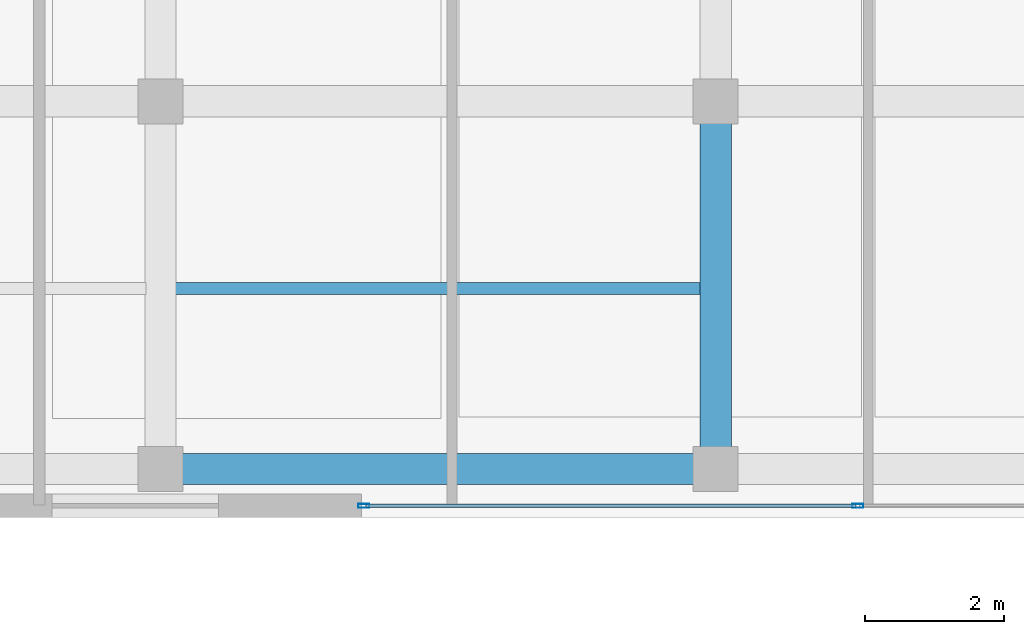
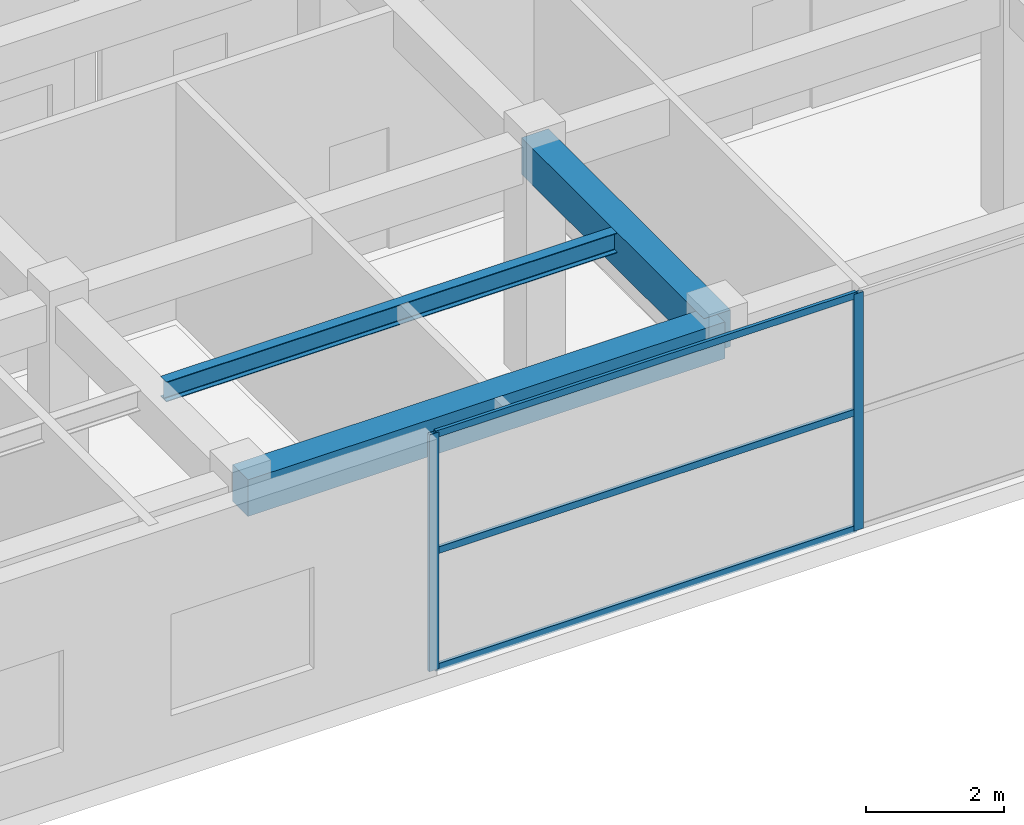
# One storey, part 10 of 28: 5 members, 3 beams, 1 element without a shape of its own.
"""IFC4 building model written with IfcOpenShell, lengths in metres."""

import ifcopenshell
import ifcopenshell.guid

model = None  # the IFC model being written
_history = None  # IfcOwnerHistory: only IFC2X3 demands one
_inside = {}  # id of a spatial element -> (the spatial element, [elements in it])
_under = {}  # id of a project, library or spatial element -> (it, [spatial elements below it])
_declared = {}  # id of a project -> (the project, [libraries it declares])
_typed = {}  # id of a type object -> (the type object, [elements of that type])
_made_of = {}  # id of a material, layer set ... -> (it, [elements and type objects made of it])


def new_model(schema):
    """Start an empty IFC model of exactly this schema.

    Asked for "IFC4X3", IfcOpenShell would pick the latest addendum, in which some entities
    have other attributes; the version numbers below select the first issue.
    IFC2X3 requires an IfcOwnerHistory on every rooted entity: one is made here for all.
    """
    global model, _history
    if schema == "IFC4X3":
        model = ifcopenshell.file(schema_version=(4, 3, 0, 0))
    else:
        model = ifcopenshell.file(schema=schema)
    _inside.clear()
    _under.clear()
    _declared.clear()
    _typed.clear()
    _made_of.clear()
    _history = None
    if model.schema == "IFC2X3":
        org = make("IfcOrganization", Name="unknown")
        user = make(
            "IfcPersonAndOrganization",
            ThePerson=make("IfcPerson", FamilyName="unknown"),
            TheOrganization=org,
        )
        app = make(
            "IfcApplication",
            ApplicationDeveloper=org,
            Version="unknown",
            ApplicationFullName="unknown",
            ApplicationIdentifier="unknown",
        )
        _history = make(
            "IfcOwnerHistory",
            OwningUser=user,
            OwningApplication=app,
            ChangeAction="ADDED",
            CreationDate=0,
        )
    return model


def make(cls, **values):
    """One entity of the class cls with the attributes given. An attribute that is None is left unset."""
    return model.create_entity(
        cls, **{name: value for name, value in values.items() if value is not None}
    )


def rooted(cls, **values):
    """An entity with a GlobalId (a new one), such as an element, a storey or a relation."""
    return make(cls, GlobalId=ifcopenshell.guid.new(), OwnerHistory=_history, **values)


def si_unit(unit_type, name, prefix=None):
    """IfcSIUnit, for example si_unit("LENGTHUNIT", "METRE", prefix="MILLI")."""
    return make("IfcSIUnit", UnitType=unit_type, Prefix=prefix, Name=name)


def assignment(units):
    """IfcUnitAssignment: the units of a project."""
    return None if units is None else make("IfcUnitAssignment", Units=units)


def point(xyz):
    """IfcCartesianPoint."""
    return None if xyz is None else make("IfcCartesianPoint", Coordinates=xyz)


def direction(xyz):
    """IfcDirection."""
    return None if xyz is None else make("IfcDirection", DirectionRatios=xyz)


def frame(location, z_axis=None, x_axis=None):
    """IfcAxis2Placement3D, a coordinate frame: its origin and axes. An axis left out is left unset."""
    return make(
        "IfcAxis2Placement3D",
        Location=point(location),
        Axis=direction(z_axis),
        RefDirection=direction(x_axis),
    )


def frame_2d(location, x_axis=None):
    """IfcAxis2Placement2D, a coordinate frame in the plane: its origin and x axis."""
    return make(
        "IfcAxis2Placement2D", Location=point(location), RefDirection=direction(x_axis)
    )


def origin():
    """The frame at (0, 0, 0) with its axes left unset."""
    return frame((0.0, 0.0, 0.0))


def origin_2d():
    """The frame at (0, 0) in the plane with its x axis left unset."""
    return frame_2d((0.0, 0.0))


def place(relative_to, where):
    """IfcLocalPlacement: puts the frame where relative to a parent placement (None: the world)."""
    return make(
        "IfcLocalPlacement", PlacementRelTo=relative_to, RelativePlacement=where
    )


def context(
    kind, dimensions, precision=None, world=None, true_north=None, identifier=None
):
    """IfcGeometricRepresentationContext, for example the 3D "Model" context."""
    return make(
        "IfcGeometricRepresentationContext",
        ContextIdentifier=identifier,
        ContextType=kind,
        CoordinateSpaceDimension=dimensions,
        Precision=precision,
        WorldCoordinateSystem=world,
        TrueNorth=true_north,
    )


def subcontext(parent, identifier, kind, view, scale=None):
    """IfcGeometricRepresentationSubContext, for example "Body" below "Model"."""
    return make(
        "IfcGeometricRepresentationSubContext",
        ContextIdentifier=identifier,
        ContextType=kind,
        ParentContext=parent,
        TargetScale=scale,
        TargetView=view,
    )


def project(units=None, contexts=None):
    """IfcProject with its units and contexts."""
    return rooted(
        "IfcProject",
        Name="project",
        RepresentationContexts=contexts,
        UnitsInContext=assignment(units),
    )


def spatial(cls, under=None, at=None, **own):
    """A site, building, storey or space (cls), placed at a placement, below another one or the project."""
    s = rooted(cls, ObjectPlacement=at, **own)
    if under is not None:
        _under.setdefault(under.id(), (under, []))[1].append(s)
    return s


def profile(cls, at=None, kind="AREA", **sizes):
    """A parametric profile (cls). Its sizes go by their IFC names, for example OverallWidth=200.0."""
    return make(cls, ProfileType=kind, Position=at, **sizes)


def rectangle(**sizes):
    """IfcRectangleProfileDef."""
    return profile("IfcRectangleProfileDef", **sizes)


def hollow_rectangle(**sizes):
    """IfcRectangleHollowProfileDef."""
    return profile("IfcRectangleHollowProfileDef", **sizes)


def i_section(**sizes):
    """IfcIShapeProfileDef."""
    return profile("IfcIShapeProfileDef", **sizes)


def extrude(swept, where, along, depth):
    """IfcExtrudedAreaSolid: the profile swept, set in the frame where, extruded along a direction by depth."""
    return make(
        "IfcExtrudedAreaSolid",
        SweptArea=swept,
        Position=where,
        ExtrudedDirection=direction(along),
        Depth=depth,
    )


def shape(context_of_items, identifier, shape_type, items):
    """IfcShapeRepresentation: the items that make up one representation, for example the "Body"."""
    return make(
        "IfcShapeRepresentation",
        ContextOfItems=context_of_items,
        RepresentationIdentifier=identifier,
        RepresentationType=shape_type,
        Items=items,
    )


def source(mapping_origin, context_of_items, identifier, shape_type, items):
    """IfcRepresentationMap: a shape defined once, which mapped items show again and again."""
    return make(
        "IfcRepresentationMap",
        MappingOrigin=mapping_origin,
        MappedRepresentation=shape(context_of_items, identifier, shape_type, items),
    )


def transform(
    local_origin,
    x_axis=None,
    y_axis=None,
    z_axis=None,
    scale=None,
    scale2=None,
    scale3=None,
    uniform=True,
):
    """IfcCartesianTransformationOperator3D, or its non-uniform kind. x_axis, y_axis, z_axis: its Axis1, 2, 3."""
    if uniform:
        return make(
            "IfcCartesianTransformationOperator3D",
            Axis1=direction(x_axis),
            Axis2=direction(y_axis),
            LocalOrigin=point(local_origin),
            Scale=scale,
            Axis3=direction(z_axis),
        )
    return make(
        "IfcCartesianTransformationOperator3DnonUniform",
        Axis1=direction(x_axis),
        Axis2=direction(y_axis),
        LocalOrigin=point(local_origin),
        Scale=scale,
        Axis3=direction(z_axis),
        Scale2=scale2,
        Scale3=scale3,
    )


def mapped(mapping_source, mapping_target):
    """IfcMappedItem: shows the shape of a source again, moved by a transform."""
    return make(
        "IfcMappedItem", MappingSource=mapping_source, MappingTarget=mapping_target
    )


def material(Name=None, Category=None):
    """IfcMaterial."""
    return make("IfcMaterial", Name=Name, Category=Category)


def layer(
    of_material, thickness, ventilated=None, Name=None, Category=None, Priority=None
):
    """IfcMaterialLayer: one layer of a wall or slab, of a material (None: an air gap)."""
    return make(
        "IfcMaterialLayer",
        Material=of_material,
        LayerThickness=thickness,
        IsVentilated=ventilated,
        Name=Name,
        Category=Category,
        Priority=Priority,
    )


def layer_set(layers, Name=None):
    """IfcMaterialLayerSet."""
    return make("IfcMaterialLayerSet", MaterialLayers=layers, LayerSetName=Name)


def material_profile(
    of_material, cross_section, Name=None, Category=None, Priority=None
):
    """IfcMaterialProfile: a cross section and its material."""
    return make(
        "IfcMaterialProfile",
        Name=Name,
        Material=of_material,
        Profile=cross_section,
        Priority=Priority,
        Category=Category,
    )


def profile_set(profiles, Name=None, composite=None):
    """IfcMaterialProfileSet."""
    return make(
        "IfcMaterialProfileSet",
        Name=Name,
        MaterialProfiles=profiles,
        CompositeProfile=composite,
    )


def made_of(thing, what):
    """Note that an element or type object is made of a material, layer set ...; save() writes the relation."""
    if what is not None:
        _made_of.setdefault(what.id(), (what, []))[1].append(thing)
    return thing


def type_object(cls, material=None, **own):
    """A type object (cls), such as IfcWallType, which elements share."""
    return made_of(rooted(cls, **own), material)


def element(
    cls,
    number,
    at=None,
    inside=None,
    cuts=None,
    type_object=None,
    material=None,
    context=None,
    identifier="Body",
    shape_type=None,
    held_by="IfcProductDefinitionShape",
    body=None,
    shapes=None,
    **own,
):
    """One element of the class cls, such as IfcWall. Its Tag is "e" and its number.

    at: its placement. inside: the storey or other place that contains it. cuts: it is an
    opening in that element (IfcRelVoidsElement). A single representation is given by context,
    identifier, shape_type and body (its items); several are given by shapes. held_by: the class
    of the entity that holds the representations. save() writes the other relations.
    """
    e = rooted(cls, Tag="e%d" % number, ObjectPlacement=at, **own)
    if body is not None:
        shapes = [shape(context, identifier, shape_type, body)]
    if shapes is not None:
        e.Representation = make(held_by, Representations=shapes)
    if inside is not None:
        _inside.setdefault(inside.id(), (inside, []))[1].append(e)
    if cuts is not None:
        rooted(
            "IfcRelVoidsElement", RelatingBuildingElement=cuts, RelatedOpeningElement=e
        )
    if type_object is not None:
        _typed.setdefault(type_object.id(), (type_object, []))[1].append(e)
    return made_of(e, material)


def aggregate(whole, parts):
    """IfcRelAggregates: a whole, such as a stair, and the parts it consists of."""
    return rooted("IfcRelAggregates", RelatingObject=whole, RelatedObjects=parts)


def save(model, path):
    """Write the relations noted so far, then the file.

    IfcRelAggregates (storeys below a building ...), IfcRelContainedInSpatialStructure (elements
    in a storey), IfcRelDefinesByType, IfcRelAssociatesMaterial and IfcRelDeclares: one each for
    every whole, place, type object, material and project.
    """
    for whole, parts in _under.values():
        aggregate(whole, parts)
    for where, things in _inside.values():
        rooted(
            "IfcRelContainedInSpatialStructure",
            RelatedElements=things,
            RelatingStructure=where,
        )
    for kind, things in _typed.values():
        rooted("IfcRelDefinesByType", RelatedObjects=things, RelatingType=kind)
    for what, things in _made_of.values():
        rooted("IfcRelAssociatesMaterial", RelatedObjects=things, RelatingMaterial=what)
    for by, libraries in _declared.values():
        rooted("IfcRelDeclares", RelatingContext=by, RelatedDefinitions=libraries)
    model.write(path)


model = new_model("IFC4")

# Units and contexts
model_context = context("Model", 3, precision=1e-05, world=origin(), true_north=direction((0.0, 1.0)))
body_context = subcontext(model_context, "Body", "Model", "MODEL_VIEW")
ifc_project = project(units=[si_unit("LENGTHUNIT", "METRE"), si_unit("AREAUNIT", "SQUARE_METRE"), si_unit("VOLUMEUNIT", "CUBIC_METRE"), si_unit("PLANEANGLEUNIT", "RADIAN"), si_unit("MASSUNIT", "GRAM", prefix="KILO")], contexts=[model_context])

# Site, building, storey
site_placement = place(None, origin())
site = spatial("IfcSite", under=ifc_project, at=site_placement, CompositionType="ELEMENT")
building_placement = place(site_placement, origin())
building = spatial("IfcBuilding", under=site, at=building_placement, Name="Khoralis Quay Care Tower", CompositionType="ELEMENT")
storey_placement = place(building_placement, frame((0.0, 0.0, 9.0)))
storey = spatial("IfcBuildingStorey", under=building, at=storey_placement, Name="L02", CompositionType="ELEMENT", Elevation=9.0)

# Beams
ifc_material_1 = material(Name="Concrete C40/50", Category="concrete")
ifc_material_profile_1 = material_profile(ifc_material_1, rectangle(XDim=0.449951171875, YDim=0.64990234375, at=origin_2d()), Name="Concrete C40/50")
ifc_profile_set_1 = profile_set([ifc_material_profile_1], Name="Concrete C40/50")
beam_type_1 = type_object("IfcBeamType", Name="BM-RC450X650", PredefinedType="BEAM", material=ifc_profile_set_1)
shared_shape_1 = source(origin(), body_context, "Body", "SweptSolid", [
    extrude(rectangle(XDim=0.449951171875, YDim=0.64990234375, at=origin_2d()), origin(), (0.0, 0.0, 1.0), 8.0),
])
beam_1_placement = place(storey_placement, frame((76.0, 6.699951171875, 3.875), z_axis=(1.0, 0.0, 0.0), x_axis=(0.0, 1.0, 0.0)))
element("IfcBeam", 1, at=beam_1_placement, inside=storey, type_object=beam_type_1, Name="BM-SCX-L02-02", PredefinedType="BEAM", context=body_context, shape_type="MappedRepresentation", body=[
    mapped(shared_shape_1, transform((0.0, 0.0, 0.0), scale=1.0)),
])
shared_shape_2 = source(origin(), body_context, "Body", "SweptSolid", [
    extrude(rectangle(XDim=0.449951171875, YDim=0.64990234375, at=origin_2d()), origin(), (0.0, 0.0, 1.0), 5.300048828125),
])
beam_2_placement = place(storey_placement, frame((84.0, 6.699951171875, 3.875), z_axis=(0.0, 1.0, 0.0), x_axis=(-1.0, 0.0, 0.0)))
element("IfcBeam", 2, at=beam_2_placement, inside=storey, type_object=beam_type_1, Name="BM-SCY-L02-45", PredefinedType="BEAM", context=body_context, shape_type="MappedRepresentation", body=[
    mapped(shared_shape_2, transform((0.0, 0.0, 0.0), scale=1.0)),
])
ifc_material_2 = material(Name="Steel S355", Category="steel")
ifc_material_profile_2 = material_profile(ifc_material_2, i_section(OverallWidth=0.1708984375, OverallDepth=0.35498046875, WebThickness=0.007080078125, FlangeThickness=0.01171875, FilletRadius=0.012939453125, at=origin_2d()), Name="Steel S355")
ifc_profile_set_2 = profile_set([ifc_material_profile_2], Name="Steel S355")
beam_type_2 = type_object("IfcBeamType", Name="BM-W360X51", PredefinedType="JOIST", material=ifc_profile_set_2)
shared_shape_3 = source(origin(), body_context, "Body", "SweptSolid", [
    extrude(i_section(OverallWidth=0.1708984375, OverallDepth=0.35498046875, WebThickness=0.007080078125, FlangeThickness=0.01171875, FilletRadius=0.012939453125, at=origin_2d()), origin(), (0.0, 0.0, 1.0), 7.57421875),
])
beam_3_placement = place(storey_placement, frame((76.212890625, 9.300048828125, 4.0224609375), z_axis=(1.0, 0.0, 0.0), x_axis=(0.0, 1.0, 0.0)))
element("IfcBeam", 3, at=beam_3_placement, inside=storey, type_object=beam_type_2, Name="BM-SCJ-L02-69", PredefinedType="JOIST", context=body_context, shape_type="MappedRepresentation", body=[
    mapped(shared_shape_3, transform((0.0, 0.0, 0.0), scale=1.0)),
])

# Curtain wall, members
ifc_material_3 = material(Name="Pale anodised aluminium", Category="aluminium")
ifc_layer = layer(ifc_material_3, 0.14990234375)
ifc_layer_set = layer_set([ifc_layer], Name="Pale anodised aluminium")
curtain_wall_type = type_object("IfcCurtainWallType", Name="CW-SYS-SCHOOL", PredefinedType="NOTDEFINED", material=ifc_layer_set)
curtain_wall_placement = place(storey_placement, origin())
curtain_wall = element("IfcCurtainWall", 4, at=curtain_wall_placement, inside=storey, type_object=curtain_wall_type, Name="L02 Unitised Curtain Wall CW-SCH-L02-E0", PredefinedType="NOTDEFINED")
ifc_material_profile_3 = material_profile(ifc_material_3, hollow_rectangle(XDim=0.06005859375, YDim=0.159912109375, WallThickness=0.00390625, at=origin_2d()), Name="Pale anodised aluminium")
ifc_profile_set_3 = profile_set([ifc_material_profile_3], Name="Pale anodised aluminium")
member_type_1 = type_object("IfcMemberType", Name="CW-MUL-160", PredefinedType="MULLION", material=ifc_profile_set_3)
shared_shape_4 = source(origin(), body_context, "Body", "SweptSolid", [
    extrude(hollow_rectangle(XDim=0.06005859375, YDim=0.159912109375, WallThickness=0.00390625, at=origin_2d()), origin(), (0.0, 0.0, 1.0), 4.199951171875),
])
member_1_placement = place(storey_placement, frame((78.927978515625, 6.169921875, 0.0), z_axis=(0.0, 0.0, 1.0), x_axis=(0.0, 1.0, 0.0)))
member_1 = element("IfcMember", 5, at=member_1_placement, type_object=member_type_1, Name="CW6 mullion 1", PredefinedType="MULLION", context=body_context, shape_type="MappedRepresentation", body=[
    mapped(shared_shape_4, transform((0.0, 0.0, 0.0), scale=1.0)),
])
member_2_placement = place(storey_placement, frame((86.050048828125, 6.169921875, 0.0), z_axis=(0.0, 0.0, 1.0), x_axis=(0.0, 1.0, 0.0)))
member_2 = element("IfcMember", 6, at=member_2_placement, type_object=member_type_1, Name="CW6 mullion 2", PredefinedType="MULLION", context=body_context, shape_type="MappedRepresentation", body=[
    mapped(shared_shape_4, transform((0.0, 0.0, 0.0), scale=1.0)),
])
ifc_material_profile_4 = material_profile(ifc_material_3, hollow_rectangle(XDim=0.054931640625, YDim=0.1201171875, WallThickness=0.00390625, at=origin_2d()), Name="Pale anodised aluminium")
ifc_profile_set_4 = profile_set([ifc_material_profile_4], Name="Pale anodised aluminium")
member_type_2 = type_object("IfcMemberType", Name="CW-TRN-120", PredefinedType="USERDEFINED", material=ifc_profile_set_4)
shared_shape_5 = source(origin(), body_context, "Body", "SweptSolid", [
    extrude(hollow_rectangle(XDim=0.054931640625, YDim=0.1201171875, WallThickness=0.00390625, at=origin_2d()), origin(), (0.0, 0.0, 1.0), 7.06201171875),
])
member_3_placement = place(storey_placement, frame((78.9580078125, 6.169921875, 0.030029296875), z_axis=(1.0, 0.0, 0.0), x_axis=(0.0, 1.0, 0.0)))
member_3 = element("IfcMember", 7, at=member_3_placement, type_object=member_type_2, Name="CW6 transom 1.1", ObjectType="TRANSOM", PredefinedType="USERDEFINED", context=body_context, shape_type="MappedRepresentation", body=[
    mapped(shared_shape_5, transform((0.0, 0.0, 0.0), scale=1.0)),
])
member_4_placement = place(storey_placement, frame((78.9580078125, 6.169921875, 2.10009765625), z_axis=(1.0, 0.0, 0.0), x_axis=(0.0, 1.0, 0.0)))
member_4 = element("IfcMember", 8, at=member_4_placement, type_object=member_type_2, Name="CW6 transom 1.2", ObjectType="TRANSOM", PredefinedType="USERDEFINED", context=body_context, shape_type="MappedRepresentation", body=[
    mapped(shared_shape_5, transform((0.0, 0.0, 0.0), scale=1.0)),
])
member_5_placement = place(storey_placement, frame((78.9580078125, 6.169921875, 4.169921875), z_axis=(1.0, 0.0, 0.0), x_axis=(0.0, 1.0, 0.0)))
member_5 = element("IfcMember", 9, at=member_5_placement, type_object=member_type_2, Name="CW6 transom 1.3", ObjectType="TRANSOM", PredefinedType="USERDEFINED", context=body_context, shape_type="MappedRepresentation", body=[
    mapped(shared_shape_5, transform((0.0, 0.0, 0.0), scale=1.0)),
])
aggregate(curtain_wall, [member_1, member_2, member_3, member_4, member_5])

save(model, "model.ifc")
